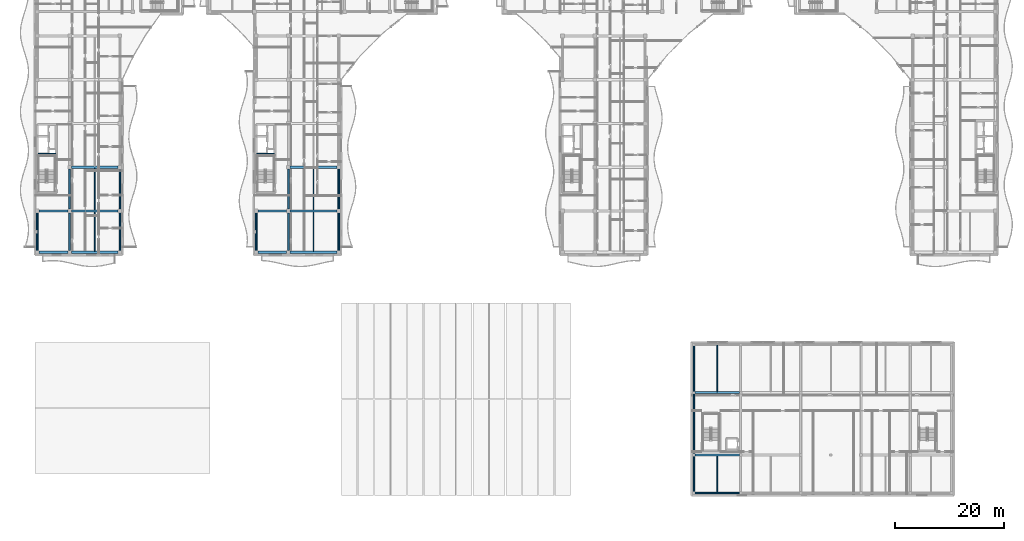
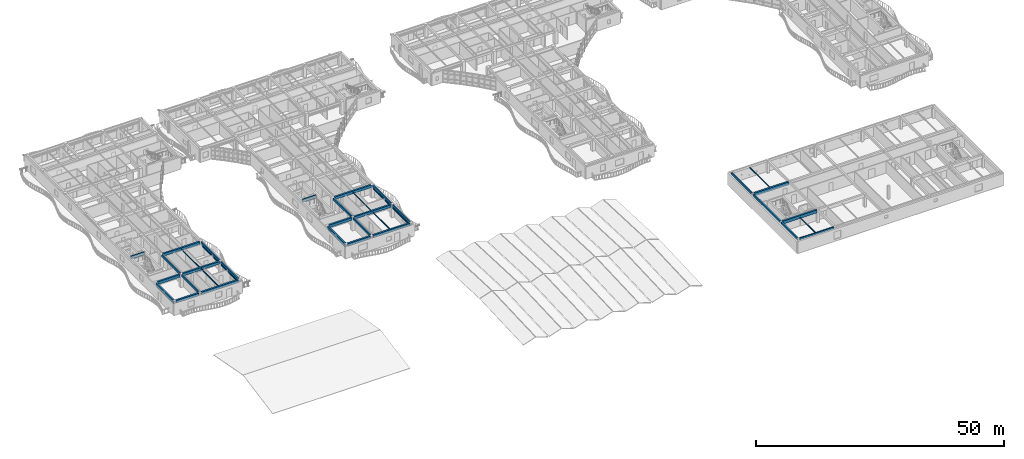
# One storey, part 4 of 89: 34 beams, 12 members.
"""IFC4 building model written with IfcOpenShell, lengths in metres."""

from ifc_helpers import new_model, si_unit, direction, frame, origin, origin_2d, place, context, subcontext, project, spatial, rectangle, hollow_rectangle, i_section, extrude, material, material_profile, profile_set, type_object, element, save


model = new_model("IFC4")

# Units and contexts
model_context = context("Model", 3, precision=1e-05, world=origin(), true_north=direction((0.0, 1.0)))
body_context = subcontext(model_context, "Body", "Model", "MODEL_VIEW")
ifc_project = project(units=[si_unit("LENGTHUNIT", "METRE"), si_unit("AREAUNIT", "SQUARE_METRE"), si_unit("VOLUMEUNIT", "CUBIC_METRE"), si_unit("PLANEANGLEUNIT", "RADIAN"), si_unit("MASSUNIT", "GRAM", prefix="KILO")], contexts=[model_context])

# Site, building, storey
site_placement = place(None, origin())
site = spatial("IfcSite", under=ifc_project, at=site_placement, CompositionType="ELEMENT")
building_placement = place(site_placement, origin())
building = spatial("IfcBuilding", under=site, at=building_placement, Name="Keldmere Railside Commons", CompositionType="ELEMENT")
storey_placement = place(building_placement, frame((0.0, 0.0, 7.360107421875)))
storey = spatial("IfcBuildingStorey", under=building, at=storey_placement, Name="L02", CompositionType="ELEMENT", Elevation=7.360107421875)

# Members
ifc_material_1 = material(Name="Steel F-36 (S355)", Category="steel")
ifc_material_profile_1 = material_profile(ifc_material_1, hollow_rectangle(XDim=0.14990234375, YDim=0.25, WallThickness=0.010009765625, at=origin_2d()), Name="RHS-250x150x10")
ifc_profile_set_1 = profile_set([ifc_material_profile_1], Name="Steel F-36 (S355)")
member_type_1 = type_object("IfcMemberType", Name="Balcony Continuous Planted Trough RHS250x150", PredefinedType="CHORD", material=ifc_profile_set_1)
for number, where, z_axis, x_axis, name in (
    (1, (8.449951171875, 56.77490234375, 2.414794921875), (0.0, 1.0, 0.0), (-1.0, 0.0, 0.0), "PLT-1 MEM-BPLT-0217"),
    (2, (23.550048828125, 56.77490234375, 2.414794921875), (0.0, 1.0, 0.0), (-1.0, 0.0, 0.0), "PLT-1 MEM-BPLT-0227"),
):
    element("IfcMember", number, at=place(storey_placement, frame(where, z_axis=z_axis, x_axis=x_axis)), inside=storey, type_object=member_type_1, Name=name, PredefinedType="CHORD", context=body_context, shape_type="SweptSolid", body=[
        extrude(hollow_rectangle(XDim=0.14990234375, YDim=0.25, WallThickness=0.010009765625, at=origin_2d()), origin(), (0.0, 0.0, 1.0), 6.900146484375),
    ])
member_1_placement = place(storey_placement, frame((23.550048828125, 64.324951171875, 2.414794921875), z_axis=(0.0, 1.0, 0.0), x_axis=(-1.0, 0.0, 0.0)))
element("IfcMember", 3, at=member_1_placement, inside=storey, type_object=member_type_1, Name="PLT-1 MEM-BPLT-0229", PredefinedType="CHORD", context=body_context, shape_type="SweptSolid", body=[
    extrude(hollow_rectangle(XDim=0.14990234375, YDim=0.25, WallThickness=0.010009765625, at=origin_2d()), origin(), (0.0, 0.0, 1.0), 7.35009765625),
])
for number, where, z_axis, x_axis, name in (
    (4, (48.449951171875, 56.77490234375, 2.414794921875), (0.0, 1.0, 0.0), (-1.0, 0.0, 0.0), "PLT-1 MEM-BPLT-0251"),
    (5, (63.550048828125, 56.77490234375, 2.414794921875), (0.0, 1.0, 0.0), (-1.0, 0.0, 0.0), "PLT-1 MEM-BPLT-0261"),
):
    element("IfcMember", number, at=place(storey_placement, frame(where, z_axis=z_axis, x_axis=x_axis)), inside=storey, type_object=member_type_1, Name=name, PredefinedType="CHORD", context=body_context, shape_type="SweptSolid", body=[
        extrude(hollow_rectangle(XDim=0.14990234375, YDim=0.25, WallThickness=0.010009765625, at=origin_2d()), origin(), (0.0, 0.0, 1.0), 6.900146484375),
    ])
member_2_placement = place(storey_placement, frame((63.550048828125, 64.324951171875, 2.414794921875), z_axis=(0.0, 1.0, 0.0), x_axis=(-1.0, 0.0, 0.0)))
element("IfcMember", 6, at=member_2_placement, inside=storey, type_object=member_type_1, Name="PLT-1 MEM-BPLT-0263", PredefinedType="CHORD", context=body_context, shape_type="SweptSolid", body=[
    extrude(hollow_rectangle(XDim=0.14990234375, YDim=0.25, WallThickness=0.010009765625, at=origin_2d()), origin(), (0.0, 0.0, 1.0), 7.35009765625),
])

# Beams
ifc_material_2 = material(Name="Concrete H-35 (C35/45)", Category="concrete")
ifc_material_profile_2 = material_profile(ifc_material_2, rectangle(XDim=0.39990234375, YDim=0.75, at=origin_2d()), Name="RC-400x750")
ifc_profile_set_2 = profile_set([ifc_material_profile_2], Name="Concrete H-35 (C35/45)")
beam_type_1 = type_object("IfcBeamType", Name="Civic Frame RC Girder 400x750", PredefinedType="BEAM", material=ifc_profile_set_2)
for number, where, z_axis, x_axis, name in (
    (7, (128.699951171875, 19.39990234375, 2.824951171875), (1.0, 0.0, 0.0), (0.0, 1.0, 0.0), "BG-2 BM-L02-1054"),
    (8, (128.699951171875, 30.800048828125, 2.824951171875), (1.0, 0.0, 0.0), (0.0, 1.0, 0.0), "BG-2 BM-L02-1058"),
):
    element("IfcBeam", number, at=place(storey_placement, frame(where, z_axis=z_axis, x_axis=x_axis)), inside=storey, type_object=beam_type_1, Name=name, PredefinedType="BEAM", context=body_context, shape_type="SweptSolid", body=[
        extrude(rectangle(XDim=0.39990234375, YDim=0.75, at=origin_2d()), origin(), (0.0, 0.0, 1.0), 8.050048828125),
    ])
ifc_material_profile_3 = material_profile(ifc_material_2, rectangle(XDim=0.300048828125, YDim=0.64990234375, at=origin_2d()), Name="RC-300x650")
ifc_profile_set_3 = profile_set([ifc_material_profile_3], Name="Concrete H-35 (C35/45)")
beam_type_2 = type_object("IfcBeamType", Name="Core Coupling RC Beam 300x650", PredefinedType="BEAM", material=ifc_profile_set_3)
for number, where, z_axis, x_axis, name in (
    (9, (8.590087890625, 74.39990234375, 2.875), (1.0, 0.0, 0.0), (0.0, 1.0, 0.0), "CB-1 BM-L02-2543"),
    (10, (48.590087890625, 74.39990234375, 2.875), (1.0, 0.0, 0.0), (0.0, 1.0, 0.0), "CB-1 BM-L02-2551"),
):
    element("IfcBeam", number, at=place(storey_placement, frame(where, z_axis=z_axis, x_axis=x_axis)), inside=storey, type_object=beam_type_2, Name=name, PredefinedType="BEAM", context=body_context, shape_type="SweptSolid", body=[
        extrude(rectangle(XDim=0.300048828125, YDim=0.64990234375, at=origin_2d()), origin(), (0.0, 0.0, 1.0), 3.18994140625),
    ])
ifc_material_profile_4 = material_profile(ifc_material_1, i_section(OverallWidth=0.1201171875, OverallDepth=0.239990234375, WebThickness=0.006103515625, FlangeThickness=0.009765625, at=origin_2d()), Name="IPE-240")
ifc_profile_set_4 = profile_set([ifc_material_profile_4], Name="Steel F-36 (S355)")
beam_type_3 = type_object("IfcBeamType", Name="Nursery & Mezzanine Steel Joist IPE240", PredefinedType="JOIST", material=ifc_profile_set_4)
beam_1_placement = place(storey_placement, frame((132.72509765625, 12.574951171875, 2.809814453125), z_axis=(0.0, 1.0, 0.0), x_axis=(-1.0, 0.0, 0.0)))
element("IfcBeam", 11, at=beam_1_placement, inside=storey, type_object=beam_type_3, Name="JST-2 BM-L02-1271", PredefinedType="JOIST", context=body_context, shape_type="SweptSolid", body=[
    extrude(i_section(OverallWidth=0.1201171875, OverallDepth=0.239990234375, WebThickness=0.006103515625, FlangeThickness=0.009765625, at=origin_2d()), origin(), (0.0, 0.0, 1.0), 6.625),
])
beam_2_placement = place(storey_placement, frame((132.72509765625, 31.0, 2.809814453125), z_axis=(0.0, 1.0, 0.0), x_axis=(-1.0, 0.0, 0.0)))
element("IfcBeam", 12, at=beam_2_placement, inside=storey, type_object=beam_type_3, Name="JST-2 BM-L02-1275", PredefinedType="JOIST", context=body_context, shape_type="SweptSolid", body=[
    extrude(i_section(OverallWidth=0.1201171875, OverallDepth=0.239990234375, WebThickness=0.006103515625, FlangeThickness=0.009765625, at=origin_2d()), origin(), (0.0, 0.0, 1.0), 8.425048828125),
])
for number, where, z_axis, x_axis, name in (
    (13, (18.949951171875, 56.64990234375, 2.809814453125), (0.0, 1.0, 0.0), (-1.0, 0.0, 0.0), "JST-2 BM-L02-1280"),
    (14, (58.949951171875, 56.64990234375, 2.809814453125), (0.0, 1.0, 0.0), (-1.0, 0.0, 0.0), "JST-2 BM-L02-1281"),
):
    element("IfcBeam", number, at=place(storey_placement, frame(where, z_axis=z_axis, x_axis=x_axis)), inside=storey, type_object=beam_type_3, Name=name, PredefinedType="JOIST", context=body_context, shape_type="SweptSolid", body=[
        extrude(i_section(OverallWidth=0.1201171875, OverallDepth=0.239990234375, WebThickness=0.006103515625, FlangeThickness=0.009765625, at=origin_2d()), origin(), (0.0, 0.0, 1.0), 7.150146484375),
    ])
for number, where, z_axis, x_axis, name in (
    (15, (18.949951171875, 64.199951171875, 2.809814453125), (0.0, 1.0, 0.0), (-1.0, 0.0, 0.0), "JST-2 BM-L02-1284"),
    (16, (58.949951171875, 64.199951171875, 2.809814453125), (0.0, 1.0, 0.0), (-1.0, 0.0, 0.0), "JST-2 BM-L02-1285"),
):
    element("IfcBeam", number, at=place(storey_placement, frame(where, z_axis=z_axis, x_axis=x_axis)), inside=storey, type_object=beam_type_3, Name=name, PredefinedType="JOIST", context=body_context, shape_type="SweptSolid", body=[
        extrude(i_section(OverallWidth=0.1201171875, OverallDepth=0.239990234375, WebThickness=0.006103515625, FlangeThickness=0.009765625, at=origin_2d()), origin(), (0.0, 0.0, 1.0), 7.60009765625),
    ])
ifc_material_3 = material(Name="Architectural Precast Concrete H-35 (C35/45)", Category="concrete")
ifc_material_profile_5 = material_profile(ifc_material_3, rectangle(XDim=0.25, YDim=0.449951171875, at=origin_2d()), Name="RC-250x450")
ifc_profile_set_5 = profile_set([ifc_material_profile_5], Name="Architectural Precast Concrete H-35 (C35/45)")
beam_type_4 = type_object("IfcBeamType", Name="Perimeter Precast Spandrel Beam 250x450", PredefinedType="SPANDREL", material=ifc_profile_set_5)
beam_3_placement = place(storey_placement, frame((128.699951171875, 12.449951171875, 2.974853515625), z_axis=(1.0, 0.0, 0.0), x_axis=(0.0, 1.0, 0.0)))
element("IfcBeam", 17, at=beam_3_placement, inside=storey, type_object=beam_type_4, Name="SPB-1 BM-L02-1049", PredefinedType="SPANDREL", context=body_context, shape_type="SweptSolid", body=[
    extrude(rectangle(XDim=0.25, YDim=0.449951171875, at=origin_2d()), origin(), (0.0, 0.0, 1.0), 8.050048828125),
])
ifc_material_4 = material(Name="Concrete H-30 (C30/37)", Category="concrete")
ifc_material_profile_6 = material_profile(ifc_material_4, rectangle(XDim=0.35009765625, YDim=0.60009765625, at=origin_2d()), Name="RC-350x600")
ifc_profile_set_6 = profile_set([ifc_material_profile_6], Name="Concrete H-30 (C30/37)")
beam_type_5 = type_object("IfcBeamType", Name="Residential Chord RC Beam 350x600", PredefinedType="BEAM", material=ifc_profile_set_6)
beam_4_placement = place(storey_placement, frame((8.449951171875, 56.77490234375, 2.89990234375), z_axis=(0.0, 1.0, 0.0), x_axis=(-1.0, 0.0, 0.0)))
element("IfcBeam", 18, at=beam_4_placement, inside=storey, type_object=beam_type_5, Name="BG-4 BM-L02-1157", PredefinedType="BEAM", context=body_context, shape_type="SweptSolid", body=[
    extrude(rectangle(XDim=0.35009765625, YDim=0.60009765625, at=origin_2d()), origin(), (0.0, 0.0, 1.0), 6.900146484375),
])
ifc_material_profile_7 = material_profile(ifc_material_4, rectangle(XDim=0.39990234375, YDim=0.64990234375, at=origin_2d()), Name="RC-400x650")
ifc_profile_set_7 = profile_set([ifc_material_profile_7], Name="Concrete H-30 (C30/37)")
beam_type_6 = type_object("IfcBeamType", Name="Residential Spine RC Girder 400x650", PredefinedType="BEAM", material=ifc_profile_set_7)
beam_5_placement = place(storey_placement, frame((8.77490234375, 56.449951171875, 2.875), z_axis=(1.0, 0.0, 0.0), x_axis=(0.0, 1.0, 0.0)))
element("IfcBeam", 19, at=beam_5_placement, inside=storey, type_object=beam_type_6, Name="BG-3 BM-L02-1068", PredefinedType="BEAM", context=body_context, shape_type="SweptSolid", body=[
    extrude(rectangle(XDim=0.39990234375, YDim=0.64990234375, at=origin_2d()), origin(), (0.0, 0.0, 1.0), 5.25),
])
beam_6_placement = place(storey_placement, frame((14.675048828125, 56.449951171875, 2.875), z_axis=(1.0, 0.0, 0.0), x_axis=(0.0, 1.0, 0.0)))
element("IfcBeam", 20, at=beam_6_placement, inside=storey, type_object=beam_type_6, Name="BG-3 BM-L02-1069", PredefinedType="BEAM", context=body_context, shape_type="SweptSolid", body=[
    extrude(rectangle(XDim=0.39990234375, YDim=0.64990234375, at=origin_2d()), origin(), (0.0, 0.0, 1.0), 8.550048828125),
])
beam_7_placement = place(storey_placement, frame((48.77490234375, 56.449951171875, 2.875), z_axis=(1.0, 0.0, 0.0), x_axis=(0.0, 1.0, 0.0)))
element("IfcBeam", 21, at=beam_7_placement, inside=storey, type_object=beam_type_6, Name="BG-3 BM-L02-1070", PredefinedType="BEAM", context=body_context, shape_type="SweptSolid", body=[
    extrude(rectangle(XDim=0.39990234375, YDim=0.64990234375, at=origin_2d()), origin(), (0.0, 0.0, 1.0), 5.25),
])
beam_8_placement = place(storey_placement, frame((54.675048828125, 56.449951171875, 2.875), z_axis=(1.0, 0.0, 0.0), x_axis=(0.0, 1.0, 0.0)))
element("IfcBeam", 22, at=beam_8_placement, inside=storey, type_object=beam_type_6, Name="BG-3 BM-L02-1071", PredefinedType="BEAM", context=body_context, shape_type="SweptSolid", body=[
    extrude(rectangle(XDim=0.39990234375, YDim=0.64990234375, at=origin_2d()), origin(), (0.0, 0.0, 1.0), 8.550048828125),
])
beam_9_placement = place(storey_placement, frame((8.77490234375, 64.0, 2.875), z_axis=(1.0, 0.0, 0.0), x_axis=(0.0, 1.0, 0.0)))
element("IfcBeam", 23, at=beam_9_placement, inside=storey, type_object=beam_type_6, Name="BG-3 BM-L02-1076", PredefinedType="BEAM", context=body_context, shape_type="SweptSolid", body=[
    extrude(rectangle(XDim=0.39990234375, YDim=0.64990234375, at=origin_2d()), origin(), (0.0, 0.0, 1.0), 5.25),
])
beam_10_placement = place(storey_placement, frame((14.675048828125, 64.0, 2.875), z_axis=(1.0, 0.0, 0.0), x_axis=(0.0, 1.0, 0.0)))
element("IfcBeam", 24, at=beam_10_placement, inside=storey, type_object=beam_type_6, Name="BG-3 BM-L02-1077", PredefinedType="BEAM", context=body_context, shape_type="SweptSolid", body=[
    extrude(rectangle(XDim=0.39990234375, YDim=0.64990234375, at=origin_2d()), origin(), (0.0, 0.0, 1.0), 8.550048828125),
])
beam_11_placement = place(storey_placement, frame((48.77490234375, 64.0, 2.875), z_axis=(1.0, 0.0, 0.0), x_axis=(0.0, 1.0, 0.0)))
element("IfcBeam", 25, at=beam_11_placement, inside=storey, type_object=beam_type_6, Name="BG-3 BM-L02-1078", PredefinedType="BEAM", context=body_context, shape_type="SweptSolid", body=[
    extrude(rectangle(XDim=0.39990234375, YDim=0.64990234375, at=origin_2d()), origin(), (0.0, 0.0, 1.0), 5.25),
])
for number, where, z_axis, x_axis, name in (
    (26, (54.675048828125, 64.0, 2.875), (1.0, 0.0, 0.0), (0.0, 1.0, 0.0), "BG-3 BM-L02-1079"),
    (27, (14.675048828125, 72.0, 2.875), (1.0, 0.0, 0.0), (0.0, 1.0, 0.0), "BG-3 BM-L02-1084"),
    (28, (54.675048828125, 72.0, 2.875), (1.0, 0.0, 0.0), (0.0, 1.0, 0.0), "BG-3 BM-L02-1085"),
):
    element("IfcBeam", number, at=place(storey_placement, frame(where, z_axis=z_axis, x_axis=x_axis)), inside=storey, type_object=beam_type_6, Name=name, PredefinedType="BEAM", context=body_context, shape_type="SweptSolid", body=[
        extrude(rectangle(XDim=0.39990234375, YDim=0.64990234375, at=origin_2d()), origin(), (0.0, 0.0, 1.0), 8.550048828125),
    ])
ifc_material_profile_8 = material_profile(ifc_material_4, rectangle(XDim=0.300048828125, YDim=0.5, at=origin_2d()), Name="RC-300x500")
ifc_profile_set_8 = profile_set([ifc_material_profile_8], Name="Concrete H-30 (C30/37)")
beam_type_7 = type_object("IfcBeamType", Name="Secondary Frame RC Beam 300x500", PredefinedType="BEAM", material=ifc_profile_set_8)
beam_12_placement = place(storey_placement, frame((14.35009765625, 56.77490234375, 2.949951171875), z_axis=(0.0, 1.0, 0.0), x_axis=(-1.0, 0.0, 0.0)))
element("IfcBeam", 29, at=beam_12_placement, inside=storey, type_object=beam_type_7, Name="BG-5 BM-L02-1162", PredefinedType="BEAM", context=body_context, shape_type="SweptSolid", body=[
    extrude(rectangle(XDim=0.300048828125, YDim=0.5, at=origin_2d()), origin(), (0.0, 0.0, 1.0), 6.900146484375),
])
beam_13_placement = place(storey_placement, frame((14.35009765625, 64.324951171875, 2.949951171875), z_axis=(0.0, 1.0, 0.0), x_axis=(-1.0, 0.0, 0.0)))
element("IfcBeam", 30, at=beam_13_placement, inside=storey, type_object=beam_type_7, Name="BG-5 BM-L02-1163", PredefinedType="BEAM", context=body_context, shape_type="SweptSolid", body=[
    extrude(rectangle(XDim=0.300048828125, YDim=0.5, at=origin_2d()), origin(), (0.0, 0.0, 1.0), 7.35009765625),
])
beam_14_placement = place(storey_placement, frame((23.550048828125, 56.77490234375, 2.949951171875), z_axis=(0.0, 1.0, 0.0), x_axis=(-1.0, 0.0, 0.0)))
element("IfcBeam", 31, at=beam_14_placement, inside=storey, type_object=beam_type_7, Name="BG-5 BM-L02-1168", PredefinedType="BEAM", context=body_context, shape_type="SweptSolid", body=[
    extrude(rectangle(XDim=0.300048828125, YDim=0.5, at=origin_2d()), origin(), (0.0, 0.0, 1.0), 6.900146484375),
])
beam_15_placement = place(storey_placement, frame((23.550048828125, 64.324951171875, 2.949951171875), z_axis=(0.0, 1.0, 0.0), x_axis=(-1.0, 0.0, 0.0)))
element("IfcBeam", 32, at=beam_15_placement, inside=storey, type_object=beam_type_7, Name="BG-5 BM-L02-1169", PredefinedType="BEAM", context=body_context, shape_type="SweptSolid", body=[
    extrude(rectangle(XDim=0.300048828125, YDim=0.5, at=origin_2d()), origin(), (0.0, 0.0, 1.0), 7.35009765625),
])
for number, where, z_axis, x_axis, name in (
    (33, (48.449951171875, 56.77490234375, 2.949951171875), (0.0, 1.0, 0.0), (-1.0, 0.0, 0.0), "BG-5 BM-L02-1182"),
    (34, (54.35009765625, 56.77490234375, 2.949951171875), (0.0, 1.0, 0.0), (-1.0, 0.0, 0.0), "BG-5 BM-L02-1184"),
):
    element("IfcBeam", number, at=place(storey_placement, frame(where, z_axis=z_axis, x_axis=x_axis)), inside=storey, type_object=beam_type_7, Name=name, PredefinedType="BEAM", context=body_context, shape_type="SweptSolid", body=[
        extrude(rectangle(XDim=0.300048828125, YDim=0.5, at=origin_2d()), origin(), (0.0, 0.0, 1.0), 6.900146484375),
    ])
beam_16_placement = place(storey_placement, frame((54.35009765625, 64.324951171875, 2.949951171875), z_axis=(0.0, 1.0, 0.0), x_axis=(-1.0, 0.0, 0.0)))
element("IfcBeam", 35, at=beam_16_placement, inside=storey, type_object=beam_type_7, Name="BG-5 BM-L02-1185", PredefinedType="BEAM", context=body_context, shape_type="SweptSolid", body=[
    extrude(rectangle(XDim=0.300048828125, YDim=0.5, at=origin_2d()), origin(), (0.0, 0.0, 1.0), 7.35009765625),
])
beam_17_placement = place(storey_placement, frame((63.550048828125, 56.77490234375, 2.949951171875), z_axis=(0.0, 1.0, 0.0), x_axis=(-1.0, 0.0, 0.0)))
element("IfcBeam", 36, at=beam_17_placement, inside=storey, type_object=beam_type_7, Name="BG-5 BM-L02-1190", PredefinedType="BEAM", context=body_context, shape_type="SweptSolid", body=[
    extrude(rectangle(XDim=0.300048828125, YDim=0.5, at=origin_2d()), origin(), (0.0, 0.0, 1.0), 6.900146484375),
])
beam_18_placement = place(storey_placement, frame((63.550048828125, 64.324951171875, 2.949951171875), z_axis=(0.0, 1.0, 0.0), x_axis=(-1.0, 0.0, 0.0)))
element("IfcBeam", 37, at=beam_18_placement, inside=storey, type_object=beam_type_7, Name="BG-5 BM-L02-1191", PredefinedType="BEAM", context=body_context, shape_type="SweptSolid", body=[
    extrude(rectangle(XDim=0.300048828125, YDim=0.5, at=origin_2d()), origin(), (0.0, 0.0, 1.0), 7.35009765625),
])
beam_19_placement = place(storey_placement, frame((128.449951171875, 12.699951171875, 2.949951171875), z_axis=(0.0, 1.0, 0.0), x_axis=(-1.0, 0.0, 0.0)))
element("IfcBeam", 38, at=beam_19_placement, inside=storey, type_object=beam_type_7, Name="BG-5 BM-L02-1226", PredefinedType="BEAM", context=body_context, shape_type="SweptSolid", body=[
    extrude(rectangle(XDim=0.300048828125, YDim=0.5, at=origin_2d()), origin(), (0.0, 0.0, 1.0), 6.449951171875),
])
beam_20_placement = place(storey_placement, frame((128.449951171875, 19.64990234375, 2.949951171875), z_axis=(0.0, 1.0, 0.0), x_axis=(-1.0, 0.0, 0.0)))
element("IfcBeam", 39, at=beam_20_placement, inside=storey, type_object=beam_type_7, Name="BG-5 BM-L02-1227", PredefinedType="BEAM", context=body_context, shape_type="SweptSolid", body=[
    extrude(rectangle(XDim=0.300048828125, YDim=0.5, at=origin_2d()), origin(), (0.0, 0.0, 1.0), 10.900146484375),
])
beam_21_placement = place(storey_placement, frame((128.449951171875, 31.050048828125, 2.949951171875), z_axis=(0.0, 1.0, 0.0), x_axis=(-1.0, 0.0, 0.0)))
element("IfcBeam", 40, at=beam_21_placement, inside=storey, type_object=beam_type_7, Name="BG-5 BM-L02-1228", PredefinedType="BEAM", context=body_context, shape_type="SweptSolid", body=[
    extrude(rectangle(XDim=0.300048828125, YDim=0.5, at=origin_2d()), origin(), (0.0, 0.0, 1.0), 8.25),
])

# Members
ifc_material_profile_9 = material_profile(ifc_material_1, hollow_rectangle(XDim=0.10009765625, YDim=0.159912109375, WallThickness=0.008056640625, at=origin_2d()), Name="RHS-160x100x8")
ifc_profile_set_9 = profile_set([ifc_material_profile_9], Name="Steel F-36 (S355)")
member_type_2 = type_object("IfcMemberType", Name="Solar Brise-Soleil Louvre Fin RHS160x100", PredefinedType="STRUT", material=ifc_profile_set_9)
for number, where, z_axis, x_axis, name in (
    (41, (8.449951171875, 56.77490234375, 2.199951171875), (0.0, 1.0, 0.0), (-1.0, 0.0, 0.0), "BSF-1 MEM-BSF-0218"),
    (42, (23.550048828125, 56.77490234375, 2.199951171875), (0.0, 1.0, 0.0), (-1.0, 0.0, 0.0), "BSF-1 MEM-BSF-0228"),
):
    element("IfcMember", number, at=place(storey_placement, frame(where, z_axis=z_axis, x_axis=x_axis)), inside=storey, type_object=member_type_2, Name=name, PredefinedType="STRUT", context=body_context, shape_type="SweptSolid", body=[
        extrude(hollow_rectangle(XDim=0.10009765625, YDim=0.159912109375, WallThickness=0.008056640625, at=origin_2d()), origin(), (0.0, 0.0, 1.0), 6.900146484375),
    ])
member_3_placement = place(storey_placement, frame((23.550048828125, 64.324951171875, 2.199951171875), z_axis=(0.0, 1.0, 0.0), x_axis=(-1.0, 0.0, 0.0)))
element("IfcMember", 43, at=member_3_placement, inside=storey, type_object=member_type_2, Name="BSF-1 MEM-BSF-0230", PredefinedType="STRUT", context=body_context, shape_type="SweptSolid", body=[
    extrude(hollow_rectangle(XDim=0.10009765625, YDim=0.159912109375, WallThickness=0.008056640625, at=origin_2d()), origin(), (0.0, 0.0, 1.0), 7.35009765625),
])
for number, where, z_axis, x_axis, name in (
    (44, (48.449951171875, 56.77490234375, 2.199951171875), (0.0, 1.0, 0.0), (-1.0, 0.0, 0.0), "BSF-1 MEM-BSF-0252"),
    (45, (63.550048828125, 56.77490234375, 2.199951171875), (0.0, 1.0, 0.0), (-1.0, 0.0, 0.0), "BSF-1 MEM-BSF-0262"),
):
    element("IfcMember", number, at=place(storey_placement, frame(where, z_axis=z_axis, x_axis=x_axis)), inside=storey, type_object=member_type_2, Name=name, PredefinedType="STRUT", context=body_context, shape_type="SweptSolid", body=[
        extrude(hollow_rectangle(XDim=0.10009765625, YDim=0.159912109375, WallThickness=0.008056640625, at=origin_2d()), origin(), (0.0, 0.0, 1.0), 6.900146484375),
    ])
member_4_placement = place(storey_placement, frame((63.550048828125, 64.324951171875, 2.199951171875), z_axis=(0.0, 1.0, 0.0), x_axis=(-1.0, 0.0, 0.0)))
element("IfcMember", 46, at=member_4_placement, inside=storey, type_object=member_type_2, Name="BSF-1 MEM-BSF-0264", PredefinedType="STRUT", context=body_context, shape_type="SweptSolid", body=[
    extrude(hollow_rectangle(XDim=0.10009765625, YDim=0.159912109375, WallThickness=0.008056640625, at=origin_2d()), origin(), (0.0, 0.0, 1.0), 7.35009765625),
])

save(model, "model.ifc")
